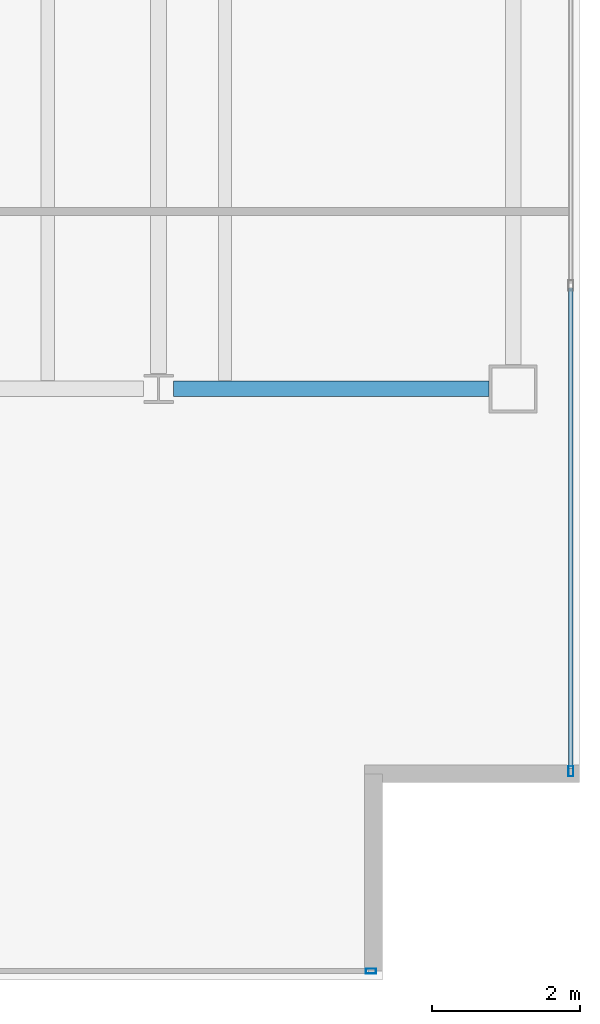
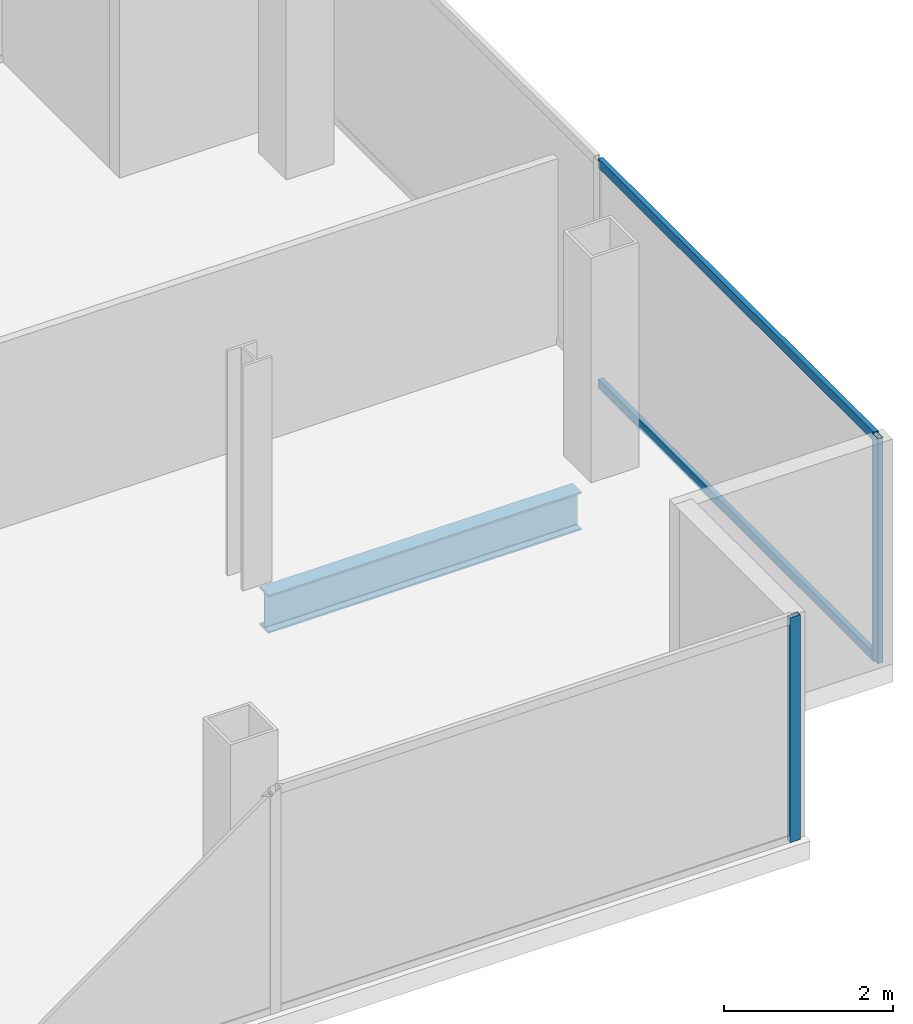
# One storey, part 14 of 23: 4 members, 1 beam, 2 elements without a shape of their own.
"""IFC4 building model written with IfcOpenShell, lengths in metres."""

import ifcopenshell
import ifcopenshell.guid

model = None  # the IFC model being written
_history = None  # IfcOwnerHistory: only IFC2X3 demands one
_inside = {}  # id of a spatial element -> (the spatial element, [elements in it])
_under = {}  # id of a project, library or spatial element -> (it, [spatial elements below it])
_declared = {}  # id of a project -> (the project, [libraries it declares])
_typed = {}  # id of a type object -> (the type object, [elements of that type])
_made_of = {}  # id of a material, layer set ... -> (it, [elements and type objects made of it])


def new_model(schema):
    """Start an empty IFC model of exactly this schema.

    Asked for "IFC4X3", IfcOpenShell would pick the latest addendum, in which some entities
    have other attributes; the version numbers below select the first issue.
    IFC2X3 requires an IfcOwnerHistory on every rooted entity: one is made here for all.
    """
    global model, _history
    if schema == "IFC4X3":
        model = ifcopenshell.file(schema_version=(4, 3, 0, 0))
    else:
        model = ifcopenshell.file(schema=schema)
    _inside.clear()
    _under.clear()
    _declared.clear()
    _typed.clear()
    _made_of.clear()
    _history = None
    if model.schema == "IFC2X3":
        org = make("IfcOrganization", Name="unknown")
        user = make(
            "IfcPersonAndOrganization",
            ThePerson=make("IfcPerson", FamilyName="unknown"),
            TheOrganization=org,
        )
        app = make(
            "IfcApplication",
            ApplicationDeveloper=org,
            Version="unknown",
            ApplicationFullName="unknown",
            ApplicationIdentifier="unknown",
        )
        _history = make(
            "IfcOwnerHistory",
            OwningUser=user,
            OwningApplication=app,
            ChangeAction="ADDED",
            CreationDate=0,
        )
    return model


def make(cls, **values):
    """One entity of the class cls with the attributes given. An attribute that is None is left unset."""
    return model.create_entity(
        cls, **{name: value for name, value in values.items() if value is not None}
    )


def rooted(cls, **values):
    """An entity with a GlobalId (a new one), such as an element, a storey or a relation."""
    return make(cls, GlobalId=ifcopenshell.guid.new(), OwnerHistory=_history, **values)


def si_unit(unit_type, name, prefix=None):
    """IfcSIUnit, for example si_unit("LENGTHUNIT", "METRE", prefix="MILLI")."""
    return make("IfcSIUnit", UnitType=unit_type, Prefix=prefix, Name=name)


def assignment(units):
    """IfcUnitAssignment: the units of a project."""
    return None if units is None else make("IfcUnitAssignment", Units=units)


def point(xyz):
    """IfcCartesianPoint."""
    return None if xyz is None else make("IfcCartesianPoint", Coordinates=xyz)


def direction(xyz):
    """IfcDirection."""
    return None if xyz is None else make("IfcDirection", DirectionRatios=xyz)


def frame(location, z_axis=None, x_axis=None):
    """IfcAxis2Placement3D, a coordinate frame: its origin and axes. An axis left out is left unset."""
    return make(
        "IfcAxis2Placement3D",
        Location=point(location),
        Axis=direction(z_axis),
        RefDirection=direction(x_axis),
    )


def frame_2d(location, x_axis=None):
    """IfcAxis2Placement2D, a coordinate frame in the plane: its origin and x axis."""
    return make(
        "IfcAxis2Placement2D", Location=point(location), RefDirection=direction(x_axis)
    )


def origin():
    """The frame at (0, 0, 0) with its axes left unset."""
    return frame((0.0, 0.0, 0.0))


def origin_2d():
    """The frame at (0, 0) in the plane with its x axis left unset."""
    return frame_2d((0.0, 0.0))


def place(relative_to, where):
    """IfcLocalPlacement: puts the frame where relative to a parent placement (None: the world)."""
    return make(
        "IfcLocalPlacement", PlacementRelTo=relative_to, RelativePlacement=where
    )


def context(
    kind, dimensions, precision=None, world=None, true_north=None, identifier=None
):
    """IfcGeometricRepresentationContext, for example the 3D "Model" context."""
    return make(
        "IfcGeometricRepresentationContext",
        ContextIdentifier=identifier,
        ContextType=kind,
        CoordinateSpaceDimension=dimensions,
        Precision=precision,
        WorldCoordinateSystem=world,
        TrueNorth=true_north,
    )


def subcontext(parent, identifier, kind, view, scale=None):
    """IfcGeometricRepresentationSubContext, for example "Body" below "Model"."""
    return make(
        "IfcGeometricRepresentationSubContext",
        ContextIdentifier=identifier,
        ContextType=kind,
        ParentContext=parent,
        TargetScale=scale,
        TargetView=view,
    )


def project(units=None, contexts=None):
    """IfcProject with its units and contexts."""
    return rooted(
        "IfcProject",
        Name="project",
        RepresentationContexts=contexts,
        UnitsInContext=assignment(units),
    )


def spatial(cls, under=None, at=None, **own):
    """A site, building, storey or space (cls), placed at a placement, below another one or the project."""
    s = rooted(cls, ObjectPlacement=at, **own)
    if under is not None:
        _under.setdefault(under.id(), (under, []))[1].append(s)
    return s


def profile(cls, at=None, kind="AREA", **sizes):
    """A parametric profile (cls). Its sizes go by their IFC names, for example OverallWidth=200.0."""
    return make(cls, ProfileType=kind, Position=at, **sizes)


def hollow_rectangle(**sizes):
    """IfcRectangleHollowProfileDef."""
    return profile("IfcRectangleHollowProfileDef", **sizes)


def i_section(**sizes):
    """IfcIShapeProfileDef."""
    return profile("IfcIShapeProfileDef", **sizes)


def extrude(swept, where, along, depth):
    """IfcExtrudedAreaSolid: the profile swept, set in the frame where, extruded along a direction by depth."""
    return make(
        "IfcExtrudedAreaSolid",
        SweptArea=swept,
        Position=where,
        ExtrudedDirection=direction(along),
        Depth=depth,
    )


def shape(context_of_items, identifier, shape_type, items):
    """IfcShapeRepresentation: the items that make up one representation, for example the "Body"."""
    return make(
        "IfcShapeRepresentation",
        ContextOfItems=context_of_items,
        RepresentationIdentifier=identifier,
        RepresentationType=shape_type,
        Items=items,
    )


def material(Name=None, Category=None):
    """IfcMaterial."""
    return make("IfcMaterial", Name=Name, Category=Category)


def material_profile(
    of_material, cross_section, Name=None, Category=None, Priority=None
):
    """IfcMaterialProfile: a cross section and its material."""
    return make(
        "IfcMaterialProfile",
        Name=Name,
        Material=of_material,
        Profile=cross_section,
        Priority=Priority,
        Category=Category,
    )


def profile_set(profiles, Name=None, composite=None):
    """IfcMaterialProfileSet."""
    return make(
        "IfcMaterialProfileSet",
        Name=Name,
        MaterialProfiles=profiles,
        CompositeProfile=composite,
    )


def made_of(thing, what):
    """Note that an element or type object is made of a material, layer set ...; save() writes the relation."""
    if what is not None:
        _made_of.setdefault(what.id(), (what, []))[1].append(thing)
    return thing


def type_object(cls, material=None, **own):
    """A type object (cls), such as IfcWallType, which elements share."""
    return made_of(rooted(cls, **own), material)


def element(
    cls,
    number,
    at=None,
    inside=None,
    cuts=None,
    type_object=None,
    material=None,
    context=None,
    identifier="Body",
    shape_type=None,
    held_by="IfcProductDefinitionShape",
    body=None,
    shapes=None,
    **own,
):
    """One element of the class cls, such as IfcWall. Its Tag is "e" and its number.

    at: its placement. inside: the storey or other place that contains it. cuts: it is an
    opening in that element (IfcRelVoidsElement). A single representation is given by context,
    identifier, shape_type and body (its items); several are given by shapes. held_by: the class
    of the entity that holds the representations. save() writes the other relations.
    """
    e = rooted(cls, Tag="e%d" % number, ObjectPlacement=at, **own)
    if body is not None:
        shapes = [shape(context, identifier, shape_type, body)]
    if shapes is not None:
        e.Representation = make(held_by, Representations=shapes)
    if inside is not None:
        _inside.setdefault(inside.id(), (inside, []))[1].append(e)
    if cuts is not None:
        rooted(
            "IfcRelVoidsElement", RelatingBuildingElement=cuts, RelatedOpeningElement=e
        )
    if type_object is not None:
        _typed.setdefault(type_object.id(), (type_object, []))[1].append(e)
    return made_of(e, material)


def aggregate(whole, parts):
    """IfcRelAggregates: a whole, such as a stair, and the parts it consists of."""
    return rooted("IfcRelAggregates", RelatingObject=whole, RelatedObjects=parts)


def save(model, path):
    """Write the relations noted so far, then the file.

    IfcRelAggregates (storeys below a building ...), IfcRelContainedInSpatialStructure (elements
    in a storey), IfcRelDefinesByType, IfcRelAssociatesMaterial and IfcRelDeclares: one each for
    every whole, place, type object, material and project.
    """
    for whole, parts in _under.values():
        aggregate(whole, parts)
    for where, things in _inside.values():
        rooted(
            "IfcRelContainedInSpatialStructure",
            RelatedElements=things,
            RelatingStructure=where,
        )
    for kind, things in _typed.values():
        rooted("IfcRelDefinesByType", RelatedObjects=things, RelatingType=kind)
    for what, things in _made_of.values():
        rooted("IfcRelAssociatesMaterial", RelatedObjects=things, RelatingMaterial=what)
    for by, libraries in _declared.values():
        rooted("IfcRelDeclares", RelatingContext=by, RelatedDefinitions=libraries)
    model.write(path)


model = new_model("IFC4")

# Units and contexts
model_context = context("Model", 3, precision=1e-05, world=origin(), true_north=direction((0.0, 1.0)))
body_context = subcontext(model_context, "Body", "Model", "MODEL_VIEW")
ifc_project = project(units=[si_unit("LENGTHUNIT", "METRE"), si_unit("AREAUNIT", "SQUARE_METRE"), si_unit("VOLUMEUNIT", "CUBIC_METRE"), si_unit("PLANEANGLEUNIT", "RADIAN"), si_unit("MASSUNIT", "GRAM", prefix="KILO")], contexts=[model_context])

# Site, building, storey
site_placement = place(None, origin())
site = spatial("IfcSite", under=ifc_project, at=site_placement, CompositionType="ELEMENT")
building_placement = place(site_placement, origin())
building = spatial("IfcBuilding", under=site, at=building_placement, Name="Cobrela Telecom Tower", CompositionType="ELEMENT")
storey_placement = place(building_placement, frame((0.0, 0.0, 283.14990234375)))
storey = spatial("IfcBuildingStorey", under=building, at=storey_placement, Name="L74", CompositionType="ELEMENT", Elevation=283.14990234375)

# Beam
ifc_material_1 = material(Name="Steel ASTM A992 Grade 50", Category="steel")
ifc_material_profile_1 = material_profile(ifc_material_1, i_section(OverallWidth=0.212890625, OverallDepth=0.549072265625, WebThickness=0.0146484375, FlangeThickness=0.023681640625, FilletRadius=0.013916015625, at=origin_2d()), Name="W21X93")
ifc_profile_set_1 = profile_set([ifc_material_profile_1], Name="Steel ASTM A992 Grade 50")
beam_type = type_object("IfcBeamType", Name="BM-GIRD-08", PredefinedType="USERDEFINED", material=ifc_profile_set_1)
beam_placement = place(storey_placement, frame((40.1044921875, 14.39990234375, -0.534423828125), z_axis=(1.0, 0.0, 0.0), x_axis=(0.0, 1.0, 0.0)))
element("IfcBeam", 1, at=beam_placement, inside=storey, type_object=beam_type, Name="L74 Primary Girder X09", ObjectType="GIRDER", PredefinedType="USERDEFINED", context=body_context, shape_type="SweptSolid", body=[
    extrude(i_section(OverallWidth=0.212890625, OverallDepth=0.549072265625, WebThickness=0.0146484375, FlangeThickness=0.023681640625, FilletRadius=0.013916015625, at=origin_2d()), origin(), (0.0, 0.0, 1.0), 4.265625),
])

# Curtain wall, member
ifc_material_2 = material(Name="Anodized Bronze Aluminium 6063-T6", Category="aluminium")
curtain_wall_type = type_object("IfcCurtainWallType", Name="CW-SYS-OFF-HI", PredefinedType="USERDEFINED", material=ifc_material_2)
curtain_wall_1_placement = place(storey_placement, origin())
curtain_wall_1 = element("IfcCurtainWall", 2, at=curtain_wall_1_placement, inside=storey, type_object=curtain_wall_type, Name="L74 Unitised Bronze Curtain Wall 12", ObjectType="UNITISED CURTAIN WALL", PredefinedType="USERDEFINED")
ifc_material_profile_2 = material_profile(ifc_material_2, hollow_rectangle(XDim=0.070068359375, YDim=0.139892578125, WallThickness=0.00390625, at=origin_2d()), Name="ALU 70x140x4")
ifc_profile_set_2 = profile_set([ifc_material_profile_2], Name="Anodized Bronze Aluminium 6063-T6")
member_type_1 = type_object("IfcMemberType", Name="CW-SYS-OFF-HI-MUL", PredefinedType="MULLION", material=ifc_profile_set_2)
member_1_placement = place(storey_placement, frame((45.47998046875, 9.22509765625, 0.0), z_axis=(0.0, 0.0, 1.0), x_axis=(1.0, 0.0, 0.0)))
member_1 = element("IfcMember", 3, at=member_1_placement, type_object=member_type_1, Name="CW-OFF-HI mullion 3", PredefinedType="MULLION", context=body_context, shape_type="SweptSolid", body=[
    extrude(hollow_rectangle(XDim=0.070068359375, YDim=0.139892578125, WallThickness=0.00390625, at=origin_2d()), origin(), (0.0, 0.0, 1.0), 3.239990234375),
])

curtain_wall_2_placement = place(storey_placement, origin())
curtain_wall_2 = element("IfcCurtainWall", 4, at=curtain_wall_2_placement, inside=storey, type_object=curtain_wall_type, Name="L74 Unitised Bronze Curtain Wall 15", ObjectType="UNITISED CURTAIN WALL", PredefinedType="USERDEFINED")
member_2_placement = place(storey_placement, frame((42.77490234375, 6.52001953125, 0.0), z_axis=(0.0, 0.0, 1.0), x_axis=(0.0, -1.0, 0.0)))
member_2 = element("IfcMember", 5, at=member_2_placement, type_object=member_type_1, Name="CW-OFF-HI mullion 1", PredefinedType="MULLION", context=body_context, shape_type="SweptSolid", body=[
    extrude(hollow_rectangle(XDim=0.070068359375, YDim=0.139892578125, WallThickness=0.00390625, at=origin_2d()), origin(), (0.0, 0.0, 1.0), 3.239990234375),
])
aggregate(curtain_wall_2, [member_2])

# Member
ifc_material_profile_3 = material_profile(ifc_material_2, hollow_rectangle(XDim=0.06494140625, YDim=0.1298828125, WallThickness=0.00390625, at=origin_2d()), Name="ALU 65x130x4")
ifc_profile_set_3 = profile_set([ifc_material_profile_3], Name="Anodized Bronze Aluminium 6063-T6")
member_type_2 = type_object("IfcMemberType", Name="CW-SYS-OFF-HI-TRN", PredefinedType="USERDEFINED", material=ifc_profile_set_3)
member_3_placement = place(storey_placement, frame((45.47998046875, 15.764892578125, 0.03271484375), z_axis=(0.0, -1.0, 0.0), x_axis=(1.0, 0.0, 0.0)))
member_3 = element("IfcMember", 6, at=member_3_placement, type_object=member_type_2, Name="CW-OFF-HI transom 2.1", ObjectType="TRANSOM", PredefinedType="USERDEFINED", context=body_context, shape_type="SweptSolid", body=[
    extrude(hollow_rectangle(XDim=0.06494140625, YDim=0.1298828125, WallThickness=0.00390625, at=origin_2d()), origin(), (0.0, 0.0, 1.0), 6.5048828125),
])

member_4_placement = place(storey_placement, frame((45.47998046875, 15.764892578125, 3.20751953125), z_axis=(0.0, -1.0, 0.0), x_axis=(1.0, 0.0, 0.0)))
member_4 = element("IfcMember", 7, at=member_4_placement, type_object=member_type_2, Name="CW-OFF-HI transom 2.2", ObjectType="TRANSOM", PredefinedType="USERDEFINED", context=body_context, shape_type="SweptSolid", body=[
    extrude(hollow_rectangle(XDim=0.06494140625, YDim=0.1298828125, WallThickness=0.00390625, at=origin_2d()), origin(), (0.0, 0.0, 1.0), 6.5048828125),
])

aggregate(curtain_wall_1, [member_1, member_3, member_4])

save(model, "model.ifc")
